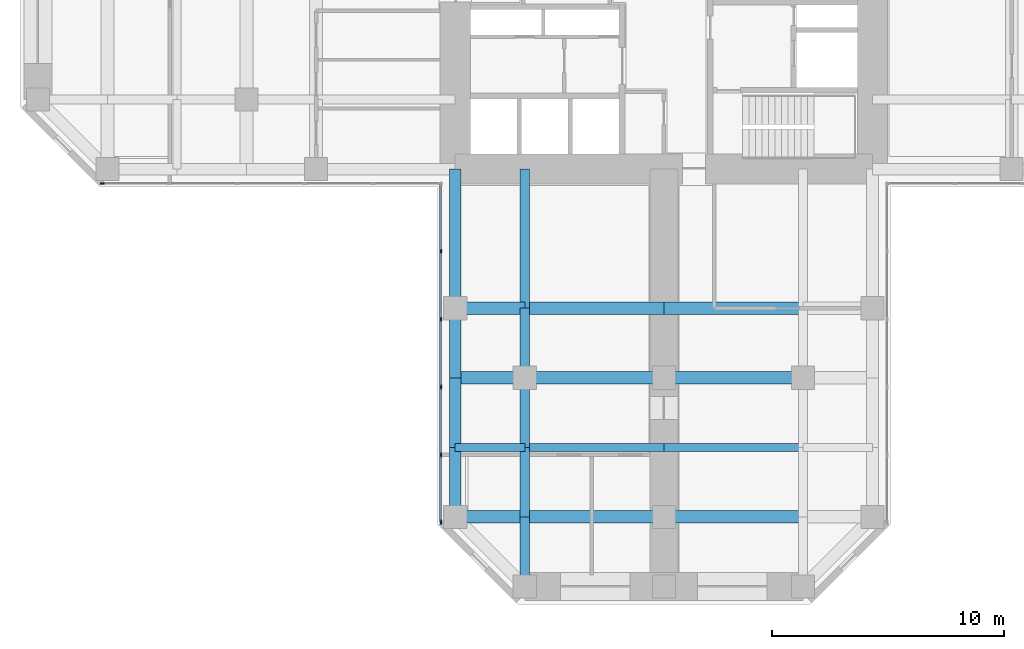
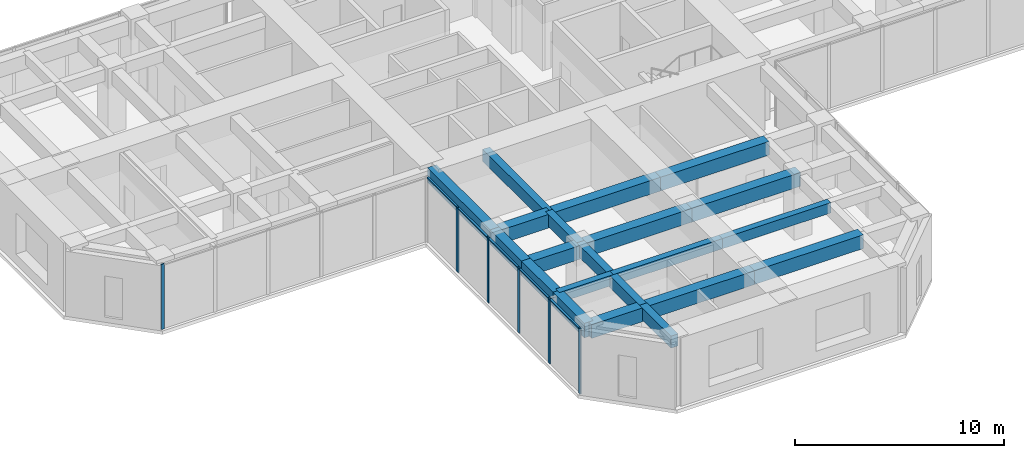
# One storey, part 2 of 12: 21 beams, 11 members, 2 elements without a shape of their own.
"""IFC4 building model written with IfcOpenShell, lengths in metres."""

from ifc_helpers import new_model, si_unit, direction, frame, origin, origin_2d, place, context, subcontext, project, spatial, rectangle, extrude, material, material_profile, profile_set, type_object, element, aggregate, save


model = new_model("IFC4")

# Units and contexts
model_context = context("Model", 3, precision=1e-05, world=origin(), true_north=direction((0.0, 1.0)))
body_context = subcontext(model_context, "Body", "Model", "MODEL_VIEW")
ifc_project = project(units=[si_unit("LENGTHUNIT", "METRE"), si_unit("AREAUNIT", "SQUARE_METRE"), si_unit("VOLUMEUNIT", "CUBIC_METRE"), si_unit("PLANEANGLEUNIT", "RADIAN"), si_unit("MASSUNIT", "GRAM", prefix="KILO")], contexts=[model_context])

# Site, building, storey
site_placement = place(None, origin())
site = spatial("IfcSite", under=ifc_project, at=site_placement, CompositionType="ELEMENT")
building_placement = place(site_placement, origin())
building = spatial("IfcBuilding", under=site, at=building_placement, Name="Torre Cruceta", CompositionType="ELEMENT")
storey_placement = place(building_placement, frame((0.0, 0.0, 104.5)))
storey = spatial("IfcBuildingStorey", under=building, at=storey_placement, Name="L25", CompositionType="ELEMENT", Elevation=104.5)

# Beams
ifc_material_1 = material(Name="Concrete G60 (fck 60 MPa)", Category="concrete")
ifc_material_profile_1 = material_profile(ifc_material_1, rectangle(XDim=0.39990234375, YDim=0.699951171875, at=origin_2d()), Name="RC 400X700")
ifc_profile_set_1 = profile_set([ifc_material_profile_1], Name="Concrete G60 (fck 60 MPa)")
beam_type_1 = type_object("IfcBeamType", Name="COLUMN LINE BEAM RC 400X700", PredefinedType="BEAM", material=ifc_profile_set_1)
beam_1_placement = place(storey_placement, frame((-6.0, -9.0, 3.449951171875), z_axis=(0.0, -1.0, 0.0), x_axis=(1.0, 0.0, 0.0)))
element("IfcBeam", 1, at=beam_1_placement, inside=storey, type_object=beam_type_1, Name="LB5 L25 S col- 1", PredefinedType="BEAM", context=body_context, shape_type="SweptSolid", body=[
    extrude(rectangle(XDim=0.39990234375, YDim=0.699951171875, at=origin_2d()), origin(), (0.0, 0.0, 1.0), 6.0),
])
for number, where, z_axis, x_axis, name in (
    (2, (-6.0, -15.0, 3.449951171875), (0.0, -1.0, 0.0), (1.0, 0.0, 0.0), "LB5 L25 S col- 2"),
    (3, (-6.0, -18.0, 3.449951171875), (0.0, -1.0, 0.0), (1.0, 0.0, 0.0), "LB5 L25 S col- 3"),
    (4, (-6.0, -21.0, 3.449951171875), (0.0, -1.0, 0.0), (1.0, 0.0, 0.0), "LB5 L25 S col- 4"),
    (5, (-6.0, -24.0, 3.449951171875), (0.0, -1.0, 0.0), (1.0, 0.0, 0.0), "LB5 L25 S col- 5"),
):
    element("IfcBeam", number, at=place(storey_placement, frame(where, z_axis=z_axis, x_axis=x_axis)), inside=storey, type_object=beam_type_1, Name=name, PredefinedType="BEAM", context=body_context, shape_type="SweptSolid", body=[
        extrude(rectangle(XDim=0.39990234375, YDim=0.699951171875, at=origin_2d()), origin(), (0.0, 0.0, 1.0), 3.0),
    ])
ifc_material_2 = material(Name="Concrete G60 (fck 60 MPa)", Category="concrete")
ifc_material_profile_2 = material_profile(ifc_material_2, rectangle(XDim=0.550048828125, YDim=0.800048828125, at=origin_2d()), Name="RC 550X800")
ifc_profile_set_2 = profile_set([ifc_material_profile_2], Name="Concrete G60 (fck 60 MPa)")
beam_type_2 = type_object("IfcBeamType", Name="CROSS BEAM RC 550X800", PredefinedType="BEAM", material=ifc_profile_set_2)
beam_2_placement = place(storey_placement, frame((-9.0, -15.0, 3.39990234375), z_axis=(1.0, 0.0, 0.0), x_axis=(0.0, 1.0, 0.0)))
element("IfcBeam", 6, at=beam_2_placement, inside=storey, type_object=beam_type_2, Name="GB5 L25 S cross15 1", PredefinedType="BEAM", context=body_context, shape_type="SweptSolid", body=[
    extrude(rectangle(XDim=0.550048828125, YDim=0.800048828125, at=origin_2d()), origin(), (0.0, 0.0, 1.0), 3.0),
])
for number, where, z_axis, x_axis, name in (
    (7, (-6.0, -15.0, 3.39990234375), (1.0, 0.0, 0.0), (0.0, 1.0, 0.0), "GB5 L25 S cross15 2"),
    (8, (0.0, -15.0, 3.39990234375), (1.0, 0.0, 0.0), (0.0, 1.0, 0.0), "GB5 L25 S cross15 3"),
):
    element("IfcBeam", number, at=place(storey_placement, frame(where, z_axis=z_axis, x_axis=x_axis)), inside=storey, type_object=beam_type_2, Name=name, PredefinedType="BEAM", context=body_context, shape_type="SweptSolid", body=[
        extrude(rectangle(XDim=0.550048828125, YDim=0.800048828125, at=origin_2d()), origin(), (0.0, 0.0, 1.0), 6.0),
    ])
beam_3_placement = place(storey_placement, frame((-9.0, -18.0, 3.39990234375), z_axis=(1.0, 0.0, 0.0), x_axis=(0.0, 1.0, 0.0)))
element("IfcBeam", 9, at=beam_3_placement, inside=storey, type_object=beam_type_2, Name="GB5 L25 S cross18 1", PredefinedType="BEAM", context=body_context, shape_type="SweptSolid", body=[
    extrude(rectangle(XDim=0.550048828125, YDim=0.800048828125, at=origin_2d()), origin(), (0.0, 0.0, 1.0), 3.0),
])
for number, where, z_axis, x_axis, name in (
    (10, (-6.0, -18.0, 3.39990234375), (1.0, 0.0, 0.0), (0.0, 1.0, 0.0), "GB5 L25 S cross18 2"),
    (11, (0.0, -18.0, 3.39990234375), (1.0, 0.0, 0.0), (0.0, 1.0, 0.0), "GB5 L25 S cross18 3"),
):
    element("IfcBeam", number, at=place(storey_placement, frame(where, z_axis=z_axis, x_axis=x_axis)), inside=storey, type_object=beam_type_2, Name=name, PredefinedType="BEAM", context=body_context, shape_type="SweptSolid", body=[
        extrude(rectangle(XDim=0.550048828125, YDim=0.800048828125, at=origin_2d()), origin(), (0.0, 0.0, 1.0), 6.0),
    ])
beam_4_placement = place(storey_placement, frame((-9.0, -24.0, 3.39990234375), z_axis=(1.0, 0.0, 0.0), x_axis=(0.0, 1.0, 0.0)))
element("IfcBeam", 12, at=beam_4_placement, inside=storey, type_object=beam_type_2, Name="GB5 L25 S cross24 1", PredefinedType="BEAM", context=body_context, shape_type="SweptSolid", body=[
    extrude(rectangle(XDim=0.550048828125, YDim=0.800048828125, at=origin_2d()), origin(), (0.0, 0.0, 1.0), 3.0),
])
for number, where, z_axis, x_axis, name in (
    (13, (-6.0, -24.0, 3.39990234375), (1.0, 0.0, 0.0), (0.0, 1.0, 0.0), "GB5 L25 S cross24 2"),
    (14, (0.0, -24.0, 3.39990234375), (1.0, 0.0, 0.0), (0.0, 1.0, 0.0), "GB5 L25 S cross24 3"),
):
    element("IfcBeam", number, at=place(storey_placement, frame(where, z_axis=z_axis, x_axis=x_axis)), inside=storey, type_object=beam_type_2, Name=name, PredefinedType="BEAM", context=body_context, shape_type="SweptSolid", body=[
        extrude(rectangle(XDim=0.550048828125, YDim=0.800048828125, at=origin_2d()), origin(), (0.0, 0.0, 1.0), 6.0),
    ])

# Curtain wall, member
ifc_material_3 = material(Name="Aluminium unitised curtain wall", Category="aluminium")
curtain_wall_type = type_object("IfcCurtainWallType", Name="CURTAIN WALL CW-B OFFICE MID RISE", PredefinedType="USERDEFINED", material=ifc_material_3)
curtain_wall_1_placement = place(storey_placement, origin())
curtain_wall_1 = element("IfcCurtainWall", 15, at=curtain_wall_1_placement, inside=storey, type_object=curtain_wall_type, Name="CW-B L25 W side 14", ObjectType="UNITISED", PredefinedType="USERDEFINED")
ifc_material_4 = material(Name="Aluminium mullion", Category="aluminium")
ifc_material_profile_3 = material_profile(ifc_material_4, rectangle(XDim=0.06494140625, YDim=0.179931640625, at=origin_2d()), Name="AL 65X180")
ifc_profile_set_3 = profile_set([ifc_material_profile_3], Name="Aluminium mullion")
member_type_1 = type_object("IfcMemberType", Name="CW-B MULLION 65X180", PredefinedType="MULLION", material=ifc_profile_set_3)
member_1_placement = place(storey_placement, frame((-24.224365234375, -9.6201171875, 0.0), z_axis=(0.0, 0.0, 1.0), x_axis=(0.0, 1.0, 0.0)))
member_1 = element("IfcMember", 16, at=member_1_placement, type_object=member_type_1, Name="CW-B mullion 1", PredefinedType="MULLION", context=body_context, shape_type="SweptSolid", body=[
    extrude(rectangle(XDim=0.06494140625, YDim=0.179931640625, at=origin_2d()), origin(), (0.0, 0.0, 1.0), 3.800048828125),
])
aggregate(curtain_wall_1, [member_1])

# Curtain wall, members
curtain_wall_2_placement = place(storey_placement, origin())
curtain_wall_2 = element("IfcCurtainWall", 17, at=curtain_wall_2_placement, inside=storey, type_object=curtain_wall_type, Name="CW-B L25 S side 15", ObjectType="UNITISED", PredefinedType="USERDEFINED")
member_2_placement = place(storey_placement, frame((-9.6201171875, -12.54736328125, 0.0), z_axis=(0.0, 0.0, 1.0), x_axis=(1.0, 0.0, 0.0)))
member_2 = element("IfcMember", 18, at=member_2_placement, type_object=member_type_1, Name="CW-B mullion 2", PredefinedType="MULLION", context=body_context, shape_type="SweptSolid", body=[
    extrude(rectangle(XDim=0.06494140625, YDim=0.179931640625, at=origin_2d()), origin(), (0.0, 0.0, 1.0), 3.800048828125),
])
member_3_placement = place(storey_placement, frame((-9.6201171875, -15.474609375, 0.0), z_axis=(0.0, 0.0, 1.0), x_axis=(1.0, 0.0, 0.0)))
member_3 = element("IfcMember", 19, at=member_3_placement, type_object=member_type_1, Name="CW-B mullion 3", PredefinedType="MULLION", context=body_context, shape_type="SweptSolid", body=[
    extrude(rectangle(XDim=0.06494140625, YDim=0.179931640625, at=origin_2d()), origin(), (0.0, 0.0, 1.0), 3.800048828125),
])
member_4_placement = place(storey_placement, frame((-9.6201171875, -18.402099609375, 0.0), z_axis=(0.0, 0.0, 1.0), x_axis=(1.0, 0.0, 0.0)))
member_4 = element("IfcMember", 20, at=member_4_placement, type_object=member_type_1, Name="CW-B mullion 4", PredefinedType="MULLION", context=body_context, shape_type="SweptSolid", body=[
    extrude(rectangle(XDim=0.06494140625, YDim=0.179931640625, at=origin_2d()), origin(), (0.0, 0.0, 1.0), 3.800048828125),
])
member_5_placement = place(storey_placement, frame((-9.6201171875, -21.329345703125, 0.0), z_axis=(0.0, 0.0, 1.0), x_axis=(1.0, 0.0, 0.0)))
member_5 = element("IfcMember", 21, at=member_5_placement, type_object=member_type_1, Name="CW-B mullion 5", PredefinedType="MULLION", context=body_context, shape_type="SweptSolid", body=[
    extrude(rectangle(XDim=0.06494140625, YDim=0.179931640625, at=origin_2d()), origin(), (0.0, 0.0, 1.0), 3.800048828125),
])
member_6_placement = place(storey_placement, frame((-9.6201171875, -24.224365234375, 0.0), z_axis=(0.0, 0.0, 1.0), x_axis=(1.0, 0.0, 0.0)))
member_6 = element("IfcMember", 22, at=member_6_placement, type_object=member_type_1, Name="CW-B mullion 6", PredefinedType="MULLION", context=body_context, shape_type="SweptSolid", body=[
    extrude(rectangle(XDim=0.06494140625, YDim=0.179931640625, at=origin_2d()), origin(), (0.0, 0.0, 1.0), 3.800048828125),
])
ifc_material_5 = material(Name="Aluminium transom", Category="aluminium")
ifc_material_profile_4 = material_profile(ifc_material_5, rectangle(XDim=0.110107421875, YDim=0.06494140625, at=origin_2d()), Name="AL 110X65")
ifc_profile_set_4 = profile_set([ifc_material_profile_4], Name="Aluminium transom")
member_type_2 = type_object("IfcMemberType", Name="CW-B TRANSOM 65X110", PredefinedType="USERDEFINED", material=ifc_profile_set_4)
member_7_placement = place(storey_placement, frame((-9.6201171875, -9.68505859375, 3.767578125), z_axis=(0.0, -1.0, 0.0), x_axis=(1.0, 0.0, 0.0)))
member_7 = element("IfcMember", 23, at=member_7_placement, type_object=member_type_2, Name="CW-B transom 1", ObjectType="TRANSOM", PredefinedType="USERDEFINED", context=body_context, shape_type="SweptSolid", body=[
    extrude(rectangle(XDim=0.110107421875, YDim=0.06494140625, at=origin_2d()), origin(), (0.0, 0.0, 1.0), 2.829833984375),
])
member_8_placement = place(storey_placement, frame((-9.6201171875, -12.579833984375, 3.767578125), z_axis=(0.0, -1.0, 0.0), x_axis=(1.0, 0.0, 0.0)))
member_8 = element("IfcMember", 24, at=member_8_placement, type_object=member_type_2, Name="CW-B transom 2", ObjectType="TRANSOM", PredefinedType="USERDEFINED", context=body_context, shape_type="SweptSolid", body=[
    extrude(rectangle(XDim=0.110107421875, YDim=0.06494140625, at=origin_2d()), origin(), (0.0, 0.0, 1.0), 2.8623046875),
])
member_9_placement = place(storey_placement, frame((-9.6201171875, -15.50732421875, 3.767578125), z_axis=(0.0, -1.0, 0.0), x_axis=(1.0, 0.0, 0.0)))
member_9 = element("IfcMember", 25, at=member_9_placement, type_object=member_type_2, Name="CW-B transom 3", ObjectType="TRANSOM", PredefinedType="USERDEFINED", context=body_context, shape_type="SweptSolid", body=[
    extrude(rectangle(XDim=0.110107421875, YDim=0.06494140625, at=origin_2d()), origin(), (0.0, 0.0, 1.0), 2.8623046875),
])
member_10_placement = place(storey_placement, frame((-9.6201171875, -18.4345703125, 3.767578125), z_axis=(0.0, -1.0, 0.0), x_axis=(1.0, 0.0, 0.0)))
member_10 = element("IfcMember", 26, at=member_10_placement, type_object=member_type_2, Name="CW-B transom 4", ObjectType="TRANSOM", PredefinedType="USERDEFINED", context=body_context, shape_type="SweptSolid", body=[
    extrude(rectangle(XDim=0.110107421875, YDim=0.06494140625, at=origin_2d()), origin(), (0.0, 0.0, 1.0), 2.8623046875),
])
member_11_placement = place(storey_placement, frame((-9.6201171875, -21.362060546875, 3.767578125), z_axis=(0.0, -1.0, 0.0), x_axis=(1.0, 0.0, 0.0)))
member_11 = element("IfcMember", 27, at=member_11_placement, type_object=member_type_2, Name="CW-B transom 5", ObjectType="TRANSOM", PredefinedType="USERDEFINED", context=body_context, shape_type="SweptSolid", body=[
    extrude(rectangle(XDim=0.110107421875, YDim=0.06494140625, at=origin_2d()), origin(), (0.0, 0.0, 1.0), 2.829833984375),
])
aggregate(curtain_wall_2, [member_2, member_3, member_4, member_5, member_6, member_7, member_8, member_9, member_10, member_11])

# Beams
ifc_material_6 = material(Name="Concrete G60 (fck 60 MPa)", Category="concrete")
ifc_material_profile_5 = material_profile(ifc_material_6, rectangle(XDim=0.35009765625, YDim=0.60009765625, at=origin_2d()), Name="RC 350X600")
ifc_profile_set_5 = profile_set([ifc_material_profile_5], Name="Concrete G60 (fck 60 MPa)")
beam_type_3 = type_object("IfcBeamType", Name="SECONDARY BEAM RC 350X600", PredefinedType="JOIST", material=ifc_profile_set_5)
beam_5_placement = place(storey_placement, frame((-9.0, -21.0, 3.5), z_axis=(1.0, 0.0, 0.0), x_axis=(0.0, 1.0, 0.0)))
element("IfcBeam", 28, at=beam_5_placement, inside=storey, type_object=beam_type_3, Name="JB5 L25 S sec21 1", PredefinedType="JOIST", context=body_context, shape_type="SweptSolid", body=[
    extrude(rectangle(XDim=0.35009765625, YDim=0.60009765625, at=origin_2d()), origin(), (0.0, 0.0, 1.0), 3.0),
])
for number, where, z_axis, x_axis, name in (
    (29, (-6.0, -21.0, 3.5), (1.0, 0.0, 0.0), (0.0, 1.0, 0.0), "JB5 L25 S sec21 2"),
    (30, (0.0, -21.0, 3.5), (1.0, 0.0, 0.0), (0.0, 1.0, 0.0), "JB5 L25 S sec21 3"),
):
    element("IfcBeam", number, at=place(storey_placement, frame(where, z_axis=z_axis, x_axis=x_axis)), inside=storey, type_object=beam_type_3, Name=name, PredefinedType="JOIST", context=body_context, shape_type="SweptSolid", body=[
        extrude(rectangle(XDim=0.35009765625, YDim=0.60009765625, at=origin_2d()), origin(), (0.0, 0.0, 1.0), 6.0),
    ])
ifc_material_7 = material(Name="Concrete G60 (fck 60 MPa)", Category="concrete")
ifc_material_profile_6 = material_profile(ifc_material_7, rectangle(XDim=0.5, YDim=0.85009765625, at=origin_2d()), Name="RC 500X850")
ifc_profile_set_6 = profile_set([ifc_material_profile_6], Name="Concrete G60 (fck 60 MPa)")
beam_type_4 = type_object("IfcBeamType", Name="SPANDREL BEAM RC 500X850", PredefinedType="SPANDREL", material=ifc_profile_set_6)
beam_6_placement = place(storey_placement, frame((-9.0, -9.0, 3.375), z_axis=(0.0, -1.0, 0.0), x_axis=(1.0, 0.0, 0.0)))
element("IfcBeam", 31, at=beam_6_placement, inside=storey, type_object=beam_type_4, Name="SB5 L25 S side- 1", PredefinedType="SPANDREL", context=body_context, shape_type="SweptSolid", body=[
    extrude(rectangle(XDim=0.5, YDim=0.85009765625, at=origin_2d()), origin(), (0.0, 0.0, 1.0), 6.0),
])
for number, where, z_axis, x_axis, name in (
    (32, (-9.0, -15.0, 3.375), (0.0, -1.0, 0.0), (1.0, 0.0, 0.0), "SB5 L25 S side- 2"),
    (33, (-9.0, -18.0, 3.375), (0.0, -1.0, 0.0), (1.0, 0.0, 0.0), "SB5 L25 S side- 3"),
    (34, (-9.0, -21.0, 3.375), (0.0, -1.0, 0.0), (1.0, 0.0, 0.0), "SB5 L25 S side- 4"),
):
    element("IfcBeam", number, at=place(storey_placement, frame(where, z_axis=z_axis, x_axis=x_axis)), inside=storey, type_object=beam_type_4, Name=name, PredefinedType="SPANDREL", context=body_context, shape_type="SweptSolid", body=[
        extrude(rectangle(XDim=0.5, YDim=0.85009765625, at=origin_2d()), origin(), (0.0, 0.0, 1.0), 3.0),
    ])

save(model, "model.ifc")
